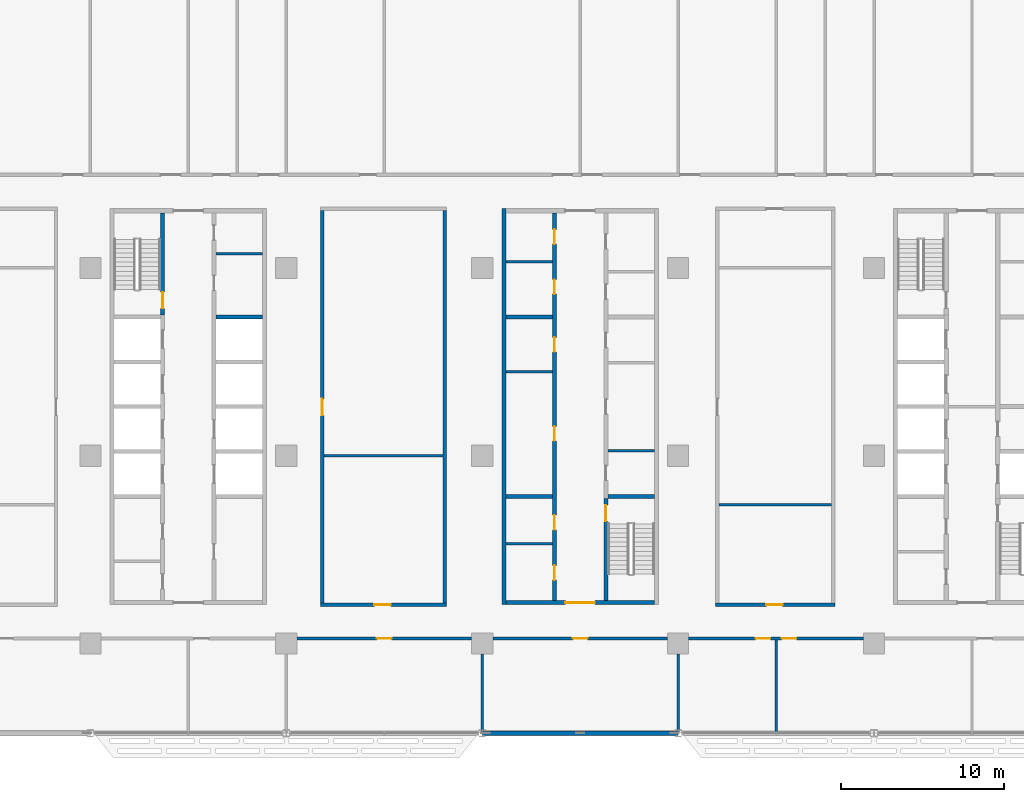
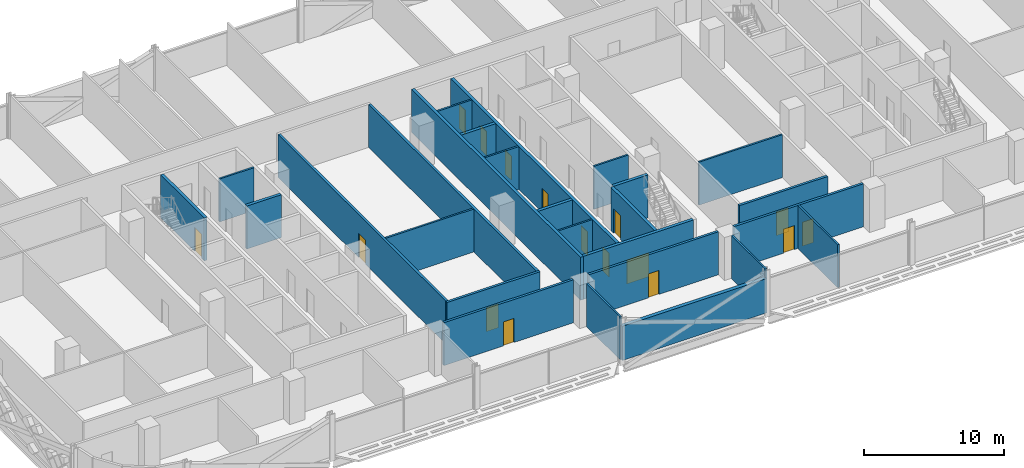
# One storey, part 14 of 28: 27 walls, 16 doors, 16 openings.
"""IFC4 building model written with IfcOpenShell, lengths in metres."""

from ifc_helpers import new_model, si_unit, direction, frame, frame_2d, origin, place, context, subcontext, project, spatial, rectangle, extrude, material, layer, layer_set, type_object, element, fill, save


model = new_model("IFC4")

# Units and contexts
model_context = context("Model", 3, precision=1e-05, world=origin(), true_north=direction((0.0, 1.0)))
body_context = subcontext(model_context, "Body", "Model", "MODEL_VIEW")
ifc_project = project(units=[si_unit("LENGTHUNIT", "METRE"), si_unit("AREAUNIT", "SQUARE_METRE"), si_unit("VOLUMEUNIT", "CUBIC_METRE"), si_unit("PLANEANGLEUNIT", "RADIAN"), si_unit("MASSUNIT", "GRAM", prefix="KILO")], contexts=[model_context])

# Site, building, storey
site_placement = place(None, origin())
site = spatial("IfcSite", under=ifc_project, at=site_placement, CompositionType="ELEMENT")
building_placement = place(site_placement, origin())
building = spatial("IfcBuilding", under=site, at=building_placement, Name="Mahtab Terrace Research Tower", CompositionType="ELEMENT")
storey_placement = place(building_placement, frame((0.0, 0.0, 130.199951171875)))
storey = spatial("IfcBuildingStorey", under=building, at=storey_placement, Name="L30", CompositionType="ELEMENT", Elevation=130.199951171875)

# Walls
ifc_material_1 = material(Name="Gypsum board partition")
ifc_layer_1 = layer(ifc_material_1, 0.14990234375)
ifc_layer_set_1 = layer_set([ifc_layer_1], Name="Core partition 150")
wall_type_1 = type_object("IfcWallType", Name="Core partition 150", PredefinedType="PARTITIONING", material=ifc_layer_set_1)
for number, where, z_axis, x_axis, name in (
    (1, (-22.300048828125, 12.35498046875, 0.0), (0.0, 0.0, 1.0), (1.0, 0.0, 0.0), "Core wall A pEN936"),
    (2, (-4.550048828125, 5.14990234375, 0.0), (0.0, 0.0, 1.0), (1.0, 0.0, 0.0), "Core wall B pWL215"),
    (3, (1.699951171875, 0.3125, 0.0), (0.0, 0.0, 1.0), (1.0, 0.0, 0.0), "Core wall B pEL-269"),
    (4, (-4.550048828125, -5.39501953125, 0.0), (0.0, 0.0, 1.0), (1.0, 0.0, 0.0), "Core wall B pWS-840"),
    (5, (-4.550048828125, 11.875, 0.0), (0.0, 0.0, 1.0), (1.0, 0.0, 0.0), "Core wall B pWN888"),
):
    element("IfcWall", number, at=place(storey_placement, frame(where, z_axis=z_axis, x_axis=x_axis)), inside=storey, type_object=wall_type_1, Name=name, PredefinedType="PARTITIONING", context=body_context, shape_type="SweptSolid", body=[
        extrude(rectangle(XDim=2.85009765625, YDim=0.14990234375, at=frame_2d((1.425048828125, 0.0))), origin(), (0.0, 0.0, 1.0), 3.760009765625),
    ])

# Wall, opening, door
ifc_material_2 = material(Name="Concrete C70/85", Category="concrete")
ifc_layer_2 = layer(ifc_material_2, 0.25)
ifc_layer_set_2 = layer_set([ifc_layer_2], Name="Core wall 250")
wall_type_2 = type_object("IfcWallType", Name="Core wall 250", PredefinedType="SOLIDWALL", material=ifc_layer_set_2)
wall_1_placement = place(storey_placement, frame((-25.574951171875, 14.875, 0.0), z_axis=(0.0, 0.0, 1.0), x_axis=(0.0, -1.0, 0.0)))
wall_1 = element("IfcWall", 6, at=wall_1_placement, inside=storey, type_object=wall_type_2, Name="Core wall A innerWN", PredefinedType="SOLIDWALL", context=body_context, shape_type="SweptSolid", body=[
    extrude(rectangle(XDim=6.25, YDim=0.25, at=frame_2d((3.125, 0.0))), origin(), (0.0, 0.0, 1.0), 3.760009765625),
])
opening_1_placement = place(wall_1_placement, frame((4.85009765625, 0.0, 0.0)))
opening_1 = element("IfcOpeningElement", 7, at=opening_1_placement, cuts=wall_1, Name="Opening A-ST1", PredefinedType="OPENING", context=body_context, shape_type="SweptSolid", body=[
    extrude(rectangle(XDim=1.0, YDim=2.10009765625, at=frame_2d((0.5, 1.050048828125))), frame((0.0, 0.135009765625, 0.0), z_axis=(0.0, -1.0, 0.0), x_axis=(1.0, 0.0, 0.0)), (0.0, 0.0, 1.0), 0.27001953125),
])
ifc_material_3 = material(Name="Steel fire door", Category="steel")
door_type_1 = type_object("IfcDoorType", Name="Stair door 1000x2100 1.5 HR", OperationType="NOTDEFINED", PredefinedType="DOOR", material=ifc_material_3)
door_1_placement = place(opening_1_placement, origin())
door_1 = element("IfcDoor", 8, at=door_1_placement, inside=storey, type_object=door_type_1, Name="Stair door ST1 L30", OperationType="SINGLE_SWING_RIGHT", OverallHeight=2.10009765625, OverallWidth=1.0, PredefinedType="DOOR", context=body_context, shape_type="SweptSolid", body=[
    extrude(rectangle(XDim=1.0, YDim=2.10009765625, at=frame_2d((0.5, 1.050048828125))), frame((0.0, 0.02490234375, 0.0), z_axis=(0.0, -1.0, 0.0), x_axis=(1.0, 0.0, 0.0)), (0.0, 0.0, 1.0), 0.050048828125),
])
fill(opening_1, door_1)

# Walls
wall_2_placement = place(storey_placement, frame((-22.300048828125, 8.5, 0.0), z_axis=(0.0, 0.0, 1.0), x_axis=(1.0, 0.0, 0.0)))
element("IfcWall", 9, at=wall_2_placement, inside=storey, type_object=wall_type_2, Name="Core wall A divE4", PredefinedType="SOLIDWALL", context=body_context, shape_type="SweptSolid", body=[
    extrude(rectangle(XDim=2.85009765625, YDim=0.25, at=frame_2d((1.425048828125, 0.0))), origin(), (0.0, 0.0, 1.0), 3.760009765625),
])
wall_3_placement = place(storey_placement, frame((-4.675048828125, 15.125, 0.0), z_axis=(0.0, 0.0, 1.0), x_axis=(0.0, -1.0, 0.0)))
element("IfcWall", 10, at=wall_3_placement, inside=storey, type_object=wall_type_2, Name="Core wall B outerW", PredefinedType="SOLIDWALL", context=body_context, shape_type="SweptSolid", body=[
    extrude(rectangle(XDim=24.25, YDim=0.25, at=frame_2d((12.125, 0.0))), origin(), (0.0, 0.0, 1.0), 3.760009765625),
])

# Wall, opening, door
wall_4_placement = place(storey_placement, frame((4.550048828125, -9.0, 0.0), z_axis=(0.0, 0.0, 1.0), x_axis=(-1.0, 0.0, 0.0)))
wall_4 = element("IfcWall", 11, at=wall_4_placement, inside=storey, type_object=wall_type_2, Name="Core wall B endS", PredefinedType="SOLIDWALL", context=body_context, shape_type="SweptSolid", body=[
    extrude(rectangle(XDim=9.10009765625, YDim=0.25, at=frame_2d((4.550048828125, 0.0))), origin(), (0.0, 0.0, 1.0), 3.760009765625),
])
opening_2_placement = place(wall_4_placement, frame((3.64990234375, 0.0, 0.0)))
opening_2 = element("IfcOpeningElement", 12, at=opening_2_placement, cuts=wall_4, Name="Opening B-S1", PredefinedType="OPENING", context=body_context, shape_type="SweptSolid", body=[
    extrude(rectangle(XDim=1.800048828125, YDim=2.10009765625, at=frame_2d((0.89990234375, 1.050048828125))), frame((0.0, 0.135009765625, 0.0), z_axis=(0.0, -1.0, 0.0), x_axis=(1.0, 0.0, 0.0)), (0.0, 0.0, 1.0), 0.27001953125),
])
door_type_2 = type_object("IfcDoorType", Name="Lobby double door 1800x2100 1 HR", OperationType="DOUBLE_DOOR_SINGLE_SWING", PredefinedType="DOOR", material=ifc_material_3)
door_2_placement = place(opening_2_placement, origin())
door_2 = element("IfcDoor", 13, at=door_2_placement, inside=storey, type_object=door_type_2, Name="Core entrance door B S", OperationType="DOUBLE_DOOR_SINGLE_SWING", OverallHeight=2.10009765625, OverallWidth=1.800048828125, PredefinedType="DOOR", context=body_context, shape_type="SweptSolid", body=[
    extrude(rectangle(XDim=1.800048828125, YDim=2.10009765625, at=frame_2d((0.89990234375, 1.050048828125))), frame((0.0, 0.02490234375, 0.0), z_axis=(0.0, -1.0, 0.0), x_axis=(1.0, 0.0, 0.0)), (0.0, 0.0, 1.0), 0.050048828125),
])
fill(opening_2, door_2)

# Wall, openings, doors
wall_5_placement = place(storey_placement, frame((-1.574951171875, -8.875, 0.0), z_axis=(0.0, 0.0, 1.0), x_axis=(0.0, 1.0, 0.0)))
wall_5 = element("IfcWall", 14, at=wall_5_placement, inside=storey, type_object=wall_type_2, Name="Core wall B innerWSLN", PredefinedType="SOLIDWALL", context=body_context, shape_type="SweptSolid", body=[
    extrude(rectangle(XDim=23.75, YDim=0.25, at=frame_2d((11.875, 0.0))), origin(), (0.0, 0.0, 1.0), 3.760009765625),
])
opening_3_placement = place(wall_5_placement, frame((9.77490234375, 0.0, 0.0)))
opening_3 = element("IfcOpeningElement", 15, at=opening_3_placement, cuts=wall_5, Name="Opening B-R1", PredefinedType="OPENING", context=body_context, shape_type="SweptSolid", body=[
    extrude(rectangle(XDim=0.89990234375, YDim=2.10009765625, at=frame_2d((0.449951171875, 1.050048828125))), frame((0.0, 0.135009765625, 0.0), z_axis=(0.0, -1.0, 0.0), x_axis=(1.0, 0.0, 0.0)), (0.0, 0.0, 1.0), 0.27001953125),
])
opening_4_placement = place(wall_5_placement, frame((15.22509765625, 0.0, 0.0)))
opening_4 = element("IfcOpeningElement", 16, at=opening_4_placement, cuts=wall_5, Name="Opening B-R2", PredefinedType="OPENING", context=body_context, shape_type="SweptSolid", body=[
    extrude(rectangle(XDim=0.89990234375, YDim=2.10009765625, at=frame_2d((0.449951171875, 1.050048828125))), frame((0.0, 0.135009765625, 0.0), z_axis=(0.0, -1.0, 0.0), x_axis=(1.0, 0.0, 0.0)), (0.0, 0.0, 1.0), 0.27001953125),
])
opening_5_placement = place(wall_5_placement, frame((1.25244140625, 0.0, 0.0)))
opening_5 = element("IfcOpeningElement", 17, at=opening_5_placement, cuts=wall_5, Name="Opening B-R6", PredefinedType="OPENING", context=body_context, shape_type="SweptSolid", body=[
    extrude(rectangle(XDim=0.89990234375, YDim=2.10009765625, at=frame_2d((0.449951171875, 1.050048828125))), frame((0.0, 0.135009765625, 0.0), z_axis=(0.0, -1.0, 0.0), x_axis=(1.0, 0.0, 0.0)), (0.0, 0.0, 1.0), 0.27001953125),
])
opening_6_placement = place(wall_5_placement, frame((4.327392578125, 0.0, 0.0)))
opening_6 = element("IfcOpeningElement", 18, at=opening_6_placement, cuts=wall_5, Name="Opening B-R7", PredefinedType="OPENING", context=body_context, shape_type="SweptSolid", body=[
    extrude(rectangle(XDim=0.89990234375, YDim=2.10009765625, at=frame_2d((0.449951171875, 1.050048828125))), frame((0.0, 0.135009765625, 0.0), z_axis=(0.0, -1.0, 0.0), x_axis=(1.0, 0.0, 0.0)), (0.0, 0.0, 1.0), 0.27001953125),
])
opening_7_placement = place(wall_5_placement, frame((18.762451171875, 0.0, 0.0)))
opening_7 = element("IfcOpeningElement", 19, at=opening_7_placement, cuts=wall_5, Name="Opening B-R8", PredefinedType="OPENING", context=body_context, shape_type="SweptSolid", body=[
    extrude(rectangle(XDim=0.89990234375, YDim=2.10009765625, at=frame_2d((0.449951171875, 1.050048828125))), frame((0.0, 0.135009765625, 0.0), z_axis=(0.0, -1.0, 0.0), x_axis=(1.0, 0.0, 0.0)), (0.0, 0.0, 1.0), 0.27001953125),
])
opening_8_placement = place(wall_5_placement, frame((21.83740234375, 0.0, 0.0)))
opening_8 = element("IfcOpeningElement", 20, at=opening_8_placement, cuts=wall_5, Name="Opening B-R9", PredefinedType="OPENING", context=body_context, shape_type="SweptSolid", body=[
    extrude(rectangle(XDim=0.89990234375, YDim=2.10009765625, at=frame_2d((0.449951171875, 1.050048828125))), frame((0.0, 0.135009765625, 0.0), z_axis=(0.0, -1.0, 0.0), x_axis=(1.0, 0.0, 0.0)), (0.0, 0.0, 1.0), 0.27001953125),
])
door_type_3 = type_object("IfcDoorType", Name="Room door 900x2100 1 HR", OperationType="NOTDEFINED", PredefinedType="DOOR", material=ifc_material_3)
door_3_placement = place(opening_3_placement, origin())
door_3 = element("IfcDoor", 21, at=door_3_placement, inside=storey, type_object=door_type_3, Name="Chemical store door", OperationType="SINGLE_SWING_LEFT", OverallHeight=2.10009765625, OverallWidth=0.89990234375, PredefinedType="DOOR", context=body_context, shape_type="SweptSolid", body=[
    extrude(rectangle(XDim=0.89990234375, YDim=2.10009765625, at=frame_2d((0.449951171875, 1.050048828125))), frame((0.0, 0.02490234375, 0.0), z_axis=(0.0, -1.0, 0.0), x_axis=(1.0, 0.0, 0.0)), (0.0, 0.0, 1.0), 0.050048828125),
])
fill(opening_3, door_3)
door_4_placement = place(opening_4_placement, origin())
door_4 = element("IfcDoor", 22, at=door_4_placement, inside=storey, type_object=door_type_3, Name="Waste room door", OperationType="SINGLE_SWING_RIGHT", OverallHeight=2.10009765625, OverallWidth=0.89990234375, PredefinedType="DOOR", context=body_context, shape_type="SweptSolid", body=[
    extrude(rectangle(XDim=0.89990234375, YDim=2.10009765625, at=frame_2d((0.449951171875, 1.050048828125))), frame((0.0, 0.02490234375, 0.0), z_axis=(0.0, -1.0, 0.0), x_axis=(1.0, 0.0, 0.0)), (0.0, 0.0, 1.0), 0.050048828125),
])
fill(opening_4, door_4)
door_5_placement = place(opening_5_placement, origin())
door_5 = element("IfcDoor", 23, at=door_5_placement, inside=storey, type_object=door_type_3, Name="Pantry door", OperationType="SINGLE_SWING_RIGHT", OverallHeight=2.10009765625, OverallWidth=0.89990234375, PredefinedType="DOOR", context=body_context, shape_type="SweptSolid", body=[
    extrude(rectangle(XDim=0.89990234375, YDim=2.10009765625, at=frame_2d((0.449951171875, 1.050048828125))), frame((0.0, 0.02490234375, 0.0), z_axis=(0.0, -1.0, 0.0), x_axis=(1.0, 0.0, 0.0)), (0.0, 0.0, 1.0), 0.050048828125),
])
fill(opening_5, door_5)
door_6_placement = place(opening_6_placement, origin())
door_6 = element("IfcDoor", 24, at=door_6_placement, inside=storey, type_object=door_type_3, Name="Linen store door", OperationType="SINGLE_SWING_LEFT", OverallHeight=2.10009765625, OverallWidth=0.89990234375, PredefinedType="DOOR", context=body_context, shape_type="SweptSolid", body=[
    extrude(rectangle(XDim=0.89990234375, YDim=2.10009765625, at=frame_2d((0.449951171875, 1.050048828125))), frame((0.0, 0.02490234375, 0.0), z_axis=(0.0, -1.0, 0.0), x_axis=(1.0, 0.0, 0.0)), (0.0, 0.0, 1.0), 0.050048828125),
])
fill(opening_6, door_6)
door_7_placement = place(opening_7_placement, origin())
door_7 = element("IfcDoor", 25, at=door_7_placement, inside=storey, type_object=door_type_3, Name="Housekeeping store door", OperationType="SINGLE_SWING_RIGHT", OverallHeight=2.10009765625, OverallWidth=0.89990234375, PredefinedType="DOOR", context=body_context, shape_type="SweptSolid", body=[
    extrude(rectangle(XDim=0.89990234375, YDim=2.10009765625, at=frame_2d((0.449951171875, 1.050048828125))), frame((0.0, 0.02490234375, 0.0), z_axis=(0.0, -1.0, 0.0), x_axis=(1.0, 0.0, 0.0)), (0.0, 0.0, 1.0), 0.050048828125),
])
fill(opening_7, door_7)
door_8_placement = place(opening_8_placement, origin())
door_8 = element("IfcDoor", 26, at=door_8_placement, inside=storey, type_object=door_type_3, Name="Electrical riser room door", OperationType="SINGLE_SWING_LEFT", OverallHeight=2.10009765625, OverallWidth=0.89990234375, PredefinedType="DOOR", context=body_context, shape_type="SweptSolid", body=[
    extrude(rectangle(XDim=0.89990234375, YDim=2.10009765625, at=frame_2d((0.449951171875, 1.050048828125))), frame((0.0, 0.02490234375, 0.0), z_axis=(0.0, -1.0, 0.0), x_axis=(1.0, 0.0, 0.0)), (0.0, 0.0, 1.0), 0.050048828125),
])
fill(opening_8, door_8)

# Wall, opening, door
wall_6_placement = place(storey_placement, frame((1.574951171875, -8.875, 0.0), z_axis=(0.0, 0.0, 1.0), x_axis=(0.0, 1.0, 0.0)))
wall_6 = element("IfcWall", 27, at=wall_6_placement, inside=storey, type_object=wall_type_2, Name="Core wall B innerES", PredefinedType="SOLIDWALL", context=body_context, shape_type="SweptSolid", body=[
    extrude(rectangle(XDim=6.25, YDim=0.25, at=frame_2d((3.125, 0.0))), origin(), (0.0, 0.0, 1.0), 3.760009765625),
])
opening_9_placement = place(wall_6_placement, frame((4.85009765625, 0.0, 0.0)))
opening_9 = element("IfcOpeningElement", 28, at=opening_9_placement, cuts=wall_6, Name="Opening B-ST2", PredefinedType="OPENING", context=body_context, shape_type="SweptSolid", body=[
    extrude(rectangle(XDim=1.0, YDim=2.10009765625, at=frame_2d((0.5, 1.050048828125))), frame((0.0, 0.135009765625, 0.0), z_axis=(0.0, -1.0, 0.0), x_axis=(1.0, 0.0, 0.0)), (0.0, 0.0, 1.0), 0.27001953125),
])
door_9_placement = place(opening_9_placement, origin())
door_9 = element("IfcDoor", 29, at=door_9_placement, inside=storey, type_object=door_type_1, Name="Stair door ST2 L30", OperationType="SINGLE_SWING_RIGHT", OverallHeight=2.10009765625, OverallWidth=1.0, PredefinedType="DOOR", context=body_context, shape_type="SweptSolid", body=[
    extrude(rectangle(XDim=1.0, YDim=2.10009765625, at=frame_2d((0.5, 1.050048828125))), frame((0.0, 0.02490234375, 0.0), z_axis=(0.0, -1.0, 0.0), x_axis=(1.0, 0.0, 0.0)), (0.0, 0.0, 1.0), 0.050048828125),
])
fill(opening_9, door_9)

# Walls
for number, where, z_axis, x_axis, name in (
    (30, (-4.550048828125, -2.5, 0.0), (0.0, 0.0, 1.0), (1.0, 0.0, 0.0), "Core wall B divW0"),
    (31, (-4.550048828125, 8.5, 0.0), (0.0, 0.0, 1.0), (1.0, 0.0, 0.0), "Core wall B divW4"),
    (32, (1.699951171875, -2.5, 0.0), (0.0, 0.0, 1.0), (1.0, 0.0, 0.0), "Core wall B divE0"),
):
    element("IfcWall", number, at=place(storey_placement, frame(where, z_axis=z_axis, x_axis=x_axis)), inside=storey, type_object=wall_type_2, Name=name, PredefinedType="SOLIDWALL", context=body_context, shape_type="SweptSolid", body=[
        extrude(rectangle(XDim=2.85009765625, YDim=0.25, at=frame_2d((1.425048828125, 0.0))), origin(), (0.0, 0.0, 1.0), 3.760009765625),
    ])
ifc_material_4 = material(Name="Black aluminium cladding panel", Category="aluminium")
ifc_layer_3 = layer(ifc_material_4, 0.300048828125)
ifc_layer_set_3 = layer_set([ifc_layer_3], Name="Opaque facade wall 300")
wall_type_3 = type_object("IfcWallType", Name="Opaque facade wall 300", PredefinedType="NOTDEFINED", material=ifc_layer_set_3)
wall_7_placement = place(storey_placement, frame((-5.982177734375, -17.0, 0.0), z_axis=(0.0, 0.0, 1.0), x_axis=(1.0, 0.0, 0.0)))
element("IfcWall", 33, at=wall_7_placement, inside=storey, type_object=wall_type_3, Name="Opaque facade wall L30 S27", PredefinedType="NOTDEFINED", context=body_context, shape_type="SweptSolid", body=[
    extrude(rectangle(XDim=11.96435546875, YDim=0.300048828125, at=frame_2d((5.982177734375, 0.0))), origin(), (0.0, 0.0, 1.0), 3.003173828125),
])

# Wall, opening, door
ifc_material_5 = material(Name="Gypsum board corridor wall on steel studs", Category="steel")
ifc_layer_4 = layer(ifc_material_5, 0.199951171875)
ifc_layer_set_4 = layer_set([ifc_layer_4], Name="WALL CORRIDOR 200")
wall_type_4 = type_object("IfcWallType", Name="WALL CORRIDOR 200", PredefinedType="PARTITIONING", material=ifc_layer_set_4)
wall_8_placement = place(storey_placement, frame((-17.35009765625, -11.199951171875, 0.0), z_axis=(0.0, 0.0, 1.0), x_axis=(1.0, 0.0, 0.0)))
wall_8 = element("IfcWall", 34, at=wall_8_placement, inside=storey, type_object=wall_type_4, Name="L30-W004", PredefinedType="PARTITIONING", context=body_context, shape_type="SweptSolid", body=[
    extrude(rectangle(XDim=10.7001953125, YDim=0.199951171875, at=frame_2d((5.35009765625, 0.0))), origin(), (0.0, 0.0, 1.0), 3.760009765625),
])
opening_10_placement = place(wall_8_placement, frame((4.89990234375, 0.0, 0.0)))
opening_10 = element("IfcOpeningElement", 35, at=opening_10_placement, cuts=wall_8, Name="Opening L30-104", PredefinedType="OPENING", context=body_context, shape_type="SweptSolid", body=[
    extrude(rectangle(XDim=0.89990234375, YDim=2.10009765625, at=frame_2d((0.449951171875, 1.050048828125))), frame((0.0, 0.10986328125, 0.0), z_axis=(0.0, -1.0, 0.0), x_axis=(1.0, 0.0, 0.0)), (0.0, 0.0, 1.0), 0.219970703125),
])
ifc_material_6 = material(Name="Timber door leaf in steel frame", Category="steel")
door_type_4 = type_object("IfcDoorType", Name="DOOR 0900X2100 FD30S", OperationType="SINGLE_SWING_LEFT", PredefinedType="DOOR", material=ifc_material_6)
door_10_placement = place(opening_10_placement, origin())
door_10 = element("IfcDoor", 36, at=door_10_placement, inside=storey, type_object=door_type_4, Name="Door L30-104", OperationType="SINGLE_SWING_LEFT", OverallHeight=2.10009765625, OverallWidth=0.89990234375, PredefinedType="DOOR", context=body_context, shape_type="SweptSolid", body=[
    extrude(rectangle(XDim=0.89990234375, YDim=2.10009765625, at=frame_2d((0.449951171875, 1.050048828125))), frame((0.0, 0.02490234375, 0.0), z_axis=(0.0, -1.0, 0.0), x_axis=(1.0, 0.0, 0.0)), (0.0, 0.0, 1.0), 0.050048828125),
])
fill(opening_10, door_10)

wall_9_placement = place(storey_placement, frame((-5.35009765625, -11.199951171875, 0.0), z_axis=(0.0, 0.0, 1.0), x_axis=(1.0, 0.0, 0.0)))
wall_9 = element("IfcWall", 37, at=wall_9_placement, inside=storey, type_object=wall_type_4, Name="L30-W005", PredefinedType="PARTITIONING", context=body_context, shape_type="SweptSolid", body=[
    extrude(rectangle(XDim=10.7001953125, YDim=0.199951171875, at=frame_2d((5.35009765625, 0.0))), origin(), (0.0, 0.0, 1.0), 3.760009765625),
])
opening_11_placement = place(wall_9_placement, frame((4.89990234375, 0.0, 0.0)))
opening_11 = element("IfcOpeningElement", 38, at=opening_11_placement, cuts=wall_9, Name="Opening L30-105", PredefinedType="OPENING", context=body_context, shape_type="SweptSolid", body=[
    extrude(rectangle(XDim=0.89990234375, YDim=2.10009765625, at=frame_2d((0.449951171875, 1.050048828125))), frame((0.0, 0.10986328125, 0.0), z_axis=(0.0, -1.0, 0.0), x_axis=(1.0, 0.0, 0.0)), (0.0, 0.0, 1.0), 0.219970703125),
])
door_11_placement = place(opening_11_placement, origin())
door_11 = element("IfcDoor", 39, at=door_11_placement, inside=storey, type_object=door_type_4, Name="Door L30-105", OperationType="SINGLE_SWING_LEFT", OverallHeight=2.10009765625, OverallWidth=0.89990234375, PredefinedType="DOOR", context=body_context, shape_type="SweptSolid", body=[
    extrude(rectangle(XDim=0.89990234375, YDim=2.10009765625, at=frame_2d((0.449951171875, 1.050048828125))), frame((0.0, 0.02490234375, 0.0), z_axis=(0.0, -1.0, 0.0), x_axis=(1.0, 0.0, 0.0)), (0.0, 0.0, 1.0), 0.050048828125),
])
fill(opening_11, door_11)

# Wall, openings, doors
wall_10_placement = place(storey_placement, frame((6.64990234375, -11.199951171875, 0.0), z_axis=(0.0, 0.0, 1.0), x_axis=(1.0, 0.0, 0.0)))
wall_10 = element("IfcWall", 40, at=wall_10_placement, inside=storey, type_object=wall_type_4, Name="L30-W006", PredefinedType="PARTITIONING", context=body_context, shape_type="SweptSolid", body=[
    extrude(rectangle(XDim=10.7001953125, YDim=0.199951171875, at=frame_2d((5.35009765625, 0.0))), origin(), (0.0, 0.0, 1.0), 3.760009765625),
])
opening_12_placement = place(wall_10_placement, frame((4.10009765625, 0.0, 0.0)))
opening_12 = element("IfcOpeningElement", 41, at=opening_12_placement, cuts=wall_10, Name="Opening L30-106", PredefinedType="OPENING", context=body_context, shape_type="SweptSolid", body=[
    extrude(rectangle(XDim=0.89990234375, YDim=2.10009765625, at=frame_2d((0.449951171875, 1.050048828125))), frame((0.0, 0.10986328125, 0.0), z_axis=(0.0, -1.0, 0.0), x_axis=(1.0, 0.0, 0.0)), (0.0, 0.0, 1.0), 0.219970703125),
])
opening_13_placement = place(wall_10_placement, frame((5.699951171875, 0.0, 0.0)))
opening_13 = element("IfcOpeningElement", 42, at=opening_13_placement, cuts=wall_10, Name="Opening L30-107", PredefinedType="OPENING", context=body_context, shape_type="SweptSolid", body=[
    extrude(rectangle(XDim=0.89990234375, YDim=2.10009765625, at=frame_2d((0.449951171875, 1.050048828125))), frame((0.0, 0.10986328125, 0.0), z_axis=(0.0, -1.0, 0.0), x_axis=(1.0, 0.0, 0.0)), (0.0, 0.0, 1.0), 0.219970703125),
])
door_12_placement = place(opening_12_placement, origin())
door_12 = element("IfcDoor", 43, at=door_12_placement, inside=storey, type_object=door_type_4, Name="Door L30-106", OperationType="SINGLE_SWING_RIGHT", OverallHeight=2.10009765625, OverallWidth=0.89990234375, PredefinedType="DOOR", context=body_context, shape_type="SweptSolid", body=[
    extrude(rectangle(XDim=0.89990234375, YDim=2.10009765625, at=frame_2d((0.449951171875, 1.050048828125))), frame((0.0, 0.02490234375, 0.0), z_axis=(0.0, -1.0, 0.0), x_axis=(1.0, 0.0, 0.0)), (0.0, 0.0, 1.0), 0.050048828125),
])
fill(opening_12, door_12)
door_13_placement = place(opening_13_placement, origin())
door_13 = element("IfcDoor", 44, at=door_13_placement, inside=storey, type_object=door_type_4, Name="Door L30-107", OperationType="SINGLE_SWING_LEFT", OverallHeight=2.10009765625, OverallWidth=0.89990234375, PredefinedType="DOOR", context=body_context, shape_type="SweptSolid", body=[
    extrude(rectangle(XDim=0.89990234375, YDim=2.10009765625, at=frame_2d((0.449951171875, 1.050048828125))), frame((0.0, 0.02490234375, 0.0), z_axis=(0.0, -1.0, 0.0), x_axis=(1.0, 0.0, 0.0)), (0.0, 0.0, 1.0), 0.050048828125),
])
fill(opening_13, door_13)

# Wall, opening, door
wall_11_placement = place(storey_placement, frame((-15.89990234375, -9.125, 0.0), z_axis=(0.0, 0.0, 1.0), x_axis=(1.0, 0.0, 0.0)))
wall_11 = element("IfcWall", 45, at=wall_11_placement, inside=storey, type_object=wall_type_4, Name="L30-W011", PredefinedType="PARTITIONING", context=body_context, shape_type="SweptSolid", body=[
    extrude(rectangle(XDim=7.699951171875, YDim=0.199951171875, at=frame_2d((3.85009765625, 0.0))), origin(), (0.0, 0.0, 1.0), 3.760009765625),
])
opening_14_placement = place(wall_11_placement, frame((3.300048828125, 0.0, 0.0)))
opening_14 = element("IfcOpeningElement", 46, at=opening_14_placement, cuts=wall_11, Name="Opening L30-114", PredefinedType="OPENING", context=body_context, shape_type="SweptSolid", body=[
    extrude(rectangle(XDim=1.0, YDim=2.10009765625, at=frame_2d((0.5, 1.050048828125))), frame((0.0, 0.10986328125, 0.0), z_axis=(0.0, -1.0, 0.0), x_axis=(1.0, 0.0, 0.0)), (0.0, 0.0, 1.0), 0.219970703125),
])
door_type_5 = type_object("IfcDoorType", Name="DOOR 1000X2100 FD30S", OperationType="SINGLE_SWING_LEFT", PredefinedType="DOOR", material=ifc_material_6)
door_14_placement = place(opening_14_placement, origin())
door_14 = element("IfcDoor", 47, at=door_14_placement, inside=storey, type_object=door_type_5, Name="Door L30-114", OperationType="SINGLE_SWING_LEFT", OverallHeight=2.10009765625, OverallWidth=1.0, PredefinedType="DOOR", context=body_context, shape_type="SweptSolid", body=[
    extrude(rectangle(XDim=1.0, YDim=2.10009765625, at=frame_2d((0.5, 1.050048828125))), frame((0.0, 0.02490234375, 0.0), z_axis=(0.0, -1.0, 0.0), x_axis=(1.0, 0.0, 0.0)), (0.0, 0.0, 1.0), 0.050048828125),
])
fill(opening_14, door_14)

wall_12_placement = place(storey_placement, frame((8.300048828125, -9.125, 0.0), z_axis=(0.0, 0.0, 1.0), x_axis=(1.0, 0.0, 0.0)))
wall_12 = element("IfcWall", 48, at=wall_12_placement, inside=storey, type_object=wall_type_4, Name="L30-W012", PredefinedType="PARTITIONING", context=body_context, shape_type="SweptSolid", body=[
    extrude(rectangle(XDim=7.300048828125, YDim=0.199951171875, at=frame_2d((3.64990234375, 0.0))), origin(), (0.0, 0.0, 1.0), 3.760009765625),
])
opening_15_placement = place(wall_12_placement, frame((3.10009765625, 0.0, 0.0)))
opening_15 = element("IfcOpeningElement", 49, at=opening_15_placement, cuts=wall_12, Name="Opening L30-113", PredefinedType="OPENING", context=body_context, shape_type="SweptSolid", body=[
    extrude(rectangle(XDim=1.0, YDim=2.10009765625, at=frame_2d((0.5, 1.050048828125))), frame((0.0, 0.10986328125, 0.0), z_axis=(0.0, -1.0, 0.0), x_axis=(1.0, 0.0, 0.0)), (0.0, 0.0, 1.0), 0.219970703125),
])
door_15_placement = place(opening_15_placement, origin())
door_15 = element("IfcDoor", 50, at=door_15_placement, inside=storey, type_object=door_type_5, Name="Door L30-113", OperationType="SINGLE_SWING_LEFT", OverallHeight=2.10009765625, OverallWidth=1.0, PredefinedType="DOOR", context=body_context, shape_type="SweptSolid", body=[
    extrude(rectangle(XDim=1.0, YDim=2.10009765625, at=frame_2d((0.5, 1.050048828125))), frame((0.0, 0.02490234375, 0.0), z_axis=(0.0, -1.0, 0.0), x_axis=(1.0, 0.0, 0.0)), (0.0, 0.0, 1.0), 0.050048828125),
])
fill(opening_15, door_15)

wall_13_placement = place(storey_placement, frame((-15.800048828125, -9.02490234375, 0.0), z_axis=(0.0, 0.0, 1.0), x_axis=(0.0, 1.0, 0.0)))
wall_13 = element("IfcWall", 51, at=wall_13_placement, inside=storey, type_object=wall_type_4, Name="L30-W038", PredefinedType="PARTITIONING", context=body_context, shape_type="SweptSolid", body=[
    extrude(rectangle(XDim=24.0498046875, YDim=0.199951171875, at=frame_2d((12.02490234375, 0.0))), origin(), (0.0, 0.0, 1.0), 3.760009765625),
])
opening_16_placement = place(wall_13_placement, frame((11.5, 0.0, 0.0)))
opening_16 = element("IfcOpeningElement", 52, at=opening_16_placement, cuts=wall_13, Name="Opening L30-120", PredefinedType="OPENING", context=body_context, shape_type="SweptSolid", body=[
    extrude(rectangle(XDim=1.0, YDim=2.10009765625, at=frame_2d((0.5, 1.050048828125))), frame((0.0, 0.10986328125, 0.0), z_axis=(0.0, -1.0, 0.0), x_axis=(1.0, 0.0, 0.0)), (0.0, 0.0, 1.0), 0.219970703125),
])
door_16_placement = place(opening_16_placement, origin())
door_16 = element("IfcDoor", 53, at=door_16_placement, inside=storey, type_object=door_type_5, Name="Door L30-120", OperationType="SINGLE_SWING_RIGHT", OverallHeight=2.10009765625, OverallWidth=1.0, PredefinedType="DOOR", context=body_context, shape_type="SweptSolid", body=[
    extrude(rectangle(XDim=1.0, YDim=2.10009765625, at=frame_2d((0.5, 1.050048828125))), frame((0.0, 0.02490234375, 0.0), z_axis=(0.0, -1.0, 0.0), x_axis=(1.0, 0.0, 0.0)), (0.0, 0.0, 1.0), 0.050048828125),
])
fill(opening_16, door_16)

# Walls
wall_14_placement = place(storey_placement, frame((-8.300048828125, -9.02490234375, 0.0), z_axis=(0.0, 0.0, 1.0), x_axis=(0.0, 1.0, 0.0)))
element("IfcWall", 54, at=wall_14_placement, inside=storey, type_object=wall_type_4, Name="L30-W040", PredefinedType="PARTITIONING", context=body_context, shape_type="SweptSolid", body=[
    extrude(rectangle(XDim=24.0498046875, YDim=0.199951171875, at=frame_2d((12.02490234375, 0.0))), origin(), (0.0, 0.0, 1.0), 3.760009765625),
])
ifc_material_7 = material(Name="Gypsum board partition on steel studs", Category="steel")
ifc_layer_5 = layer(ifc_material_7, 0.14990234375)
ifc_layer_set_5 = layer_set([ifc_layer_5], Name="WALL PARTITION 150")
wall_type_5 = type_object("IfcWallType", Name="WALL PARTITION 150", PredefinedType="PARTITIONING", material=ifc_layer_set_5)
wall_15_placement = place(storey_placement, frame((8.5, -3.0, 0.0), z_axis=(0.0, 0.0, 1.0), x_axis=(1.0, 0.0, 0.0)))
element("IfcWall", 55, at=wall_15_placement, inside=storey, type_object=wall_type_5, Name="L30-W015", PredefinedType="PARTITIONING", context=body_context, shape_type="SweptSolid", body=[
    extrude(rectangle(XDim=6.89990234375, YDim=0.14990234375, at=frame_2d((3.449951171875, 0.0))), origin(), (0.0, 0.0, 1.0), 3.760009765625),
])
wall_16_placement = place(storey_placement, frame((-15.699951171875, 0.0, 0.0), z_axis=(0.0, 0.0, 1.0), x_axis=(1.0, 0.0, 0.0)))
element("IfcWall", 56, at=wall_16_placement, inside=storey, type_object=wall_type_5, Name="L30-W016", PredefinedType="PARTITIONING", context=body_context, shape_type="SweptSolid", body=[
    extrude(rectangle(XDim=7.300048828125, YDim=0.14990234375, at=frame_2d((3.64990234375, 0.0))), origin(), (0.0, 0.0, 1.0), 3.760009765625),
])
for number, where, z_axis, x_axis, name in (
    (57, (-6.0, -16.97509765625, 0.0), (0.0, 0.0, 1.0), (0.0, 1.0, 0.0), "L30-W041"),
    (58, (6.0, -16.97509765625, 0.0), (0.0, 0.0, 1.0), (0.0, 1.0, 0.0), "L30-W043"),
):
    element("IfcWall", number, at=place(storey_placement, frame(where, z_axis=z_axis, x_axis=x_axis)), inside=storey, type_object=wall_type_5, Name=name, PredefinedType="PARTITIONING", context=body_context, shape_type="SweptSolid", body=[
        extrude(rectangle(XDim=4.8251953125, YDim=0.14990234375, at=frame_2d((2.41259765625, 0.0))), origin(), (0.0, 0.0, 1.0), 3.760009765625),
    ])
wall_17_placement = place(storey_placement, frame((12.0, -16.97509765625, 0.0), z_axis=(0.0, 0.0, 1.0), x_axis=(0.0, 1.0, 0.0)))
element("IfcWall", 59, at=wall_17_placement, inside=storey, type_object=wall_type_5, Name="L30-W046", PredefinedType="PARTITIONING", context=body_context, shape_type="SweptSolid", body=[
    extrude(rectangle(XDim=5.675048828125, YDim=0.14990234375, at=frame_2d((2.83740234375, 0.0))), origin(), (0.0, 0.0, 1.0), 3.760009765625),
])

save(model, "model.ifc")
